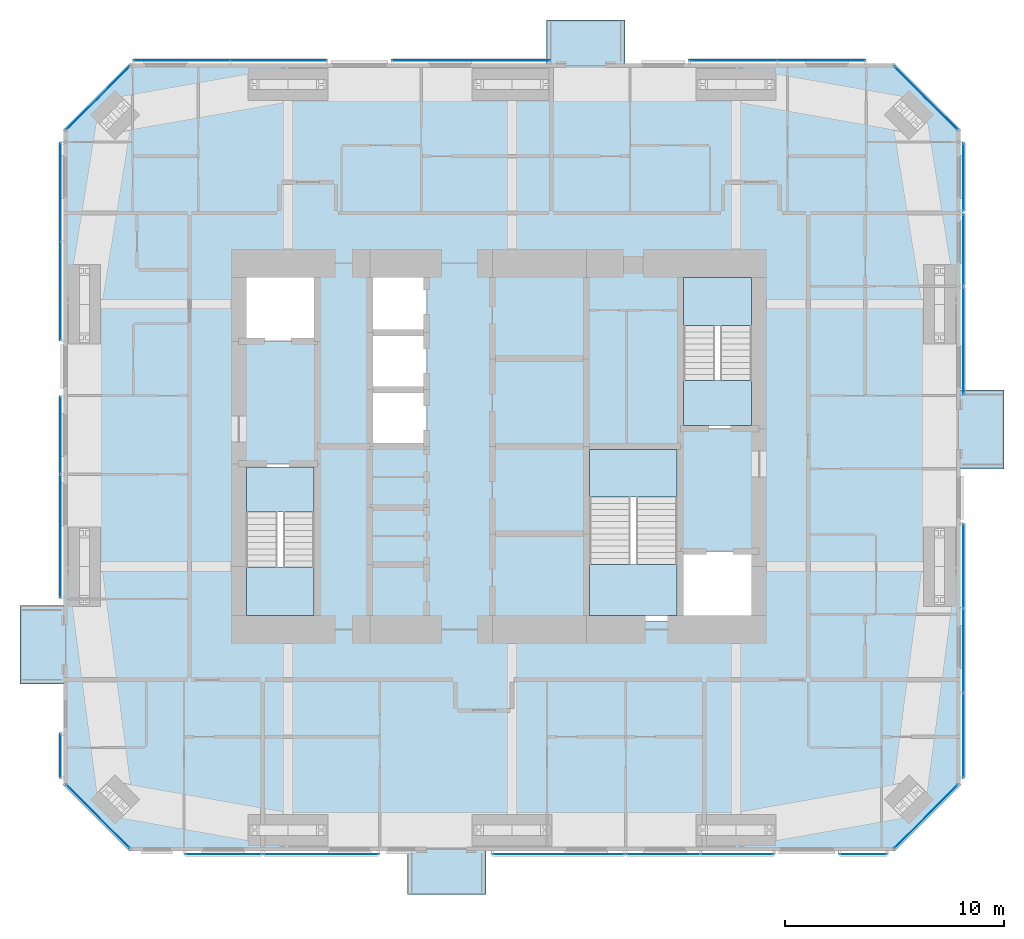
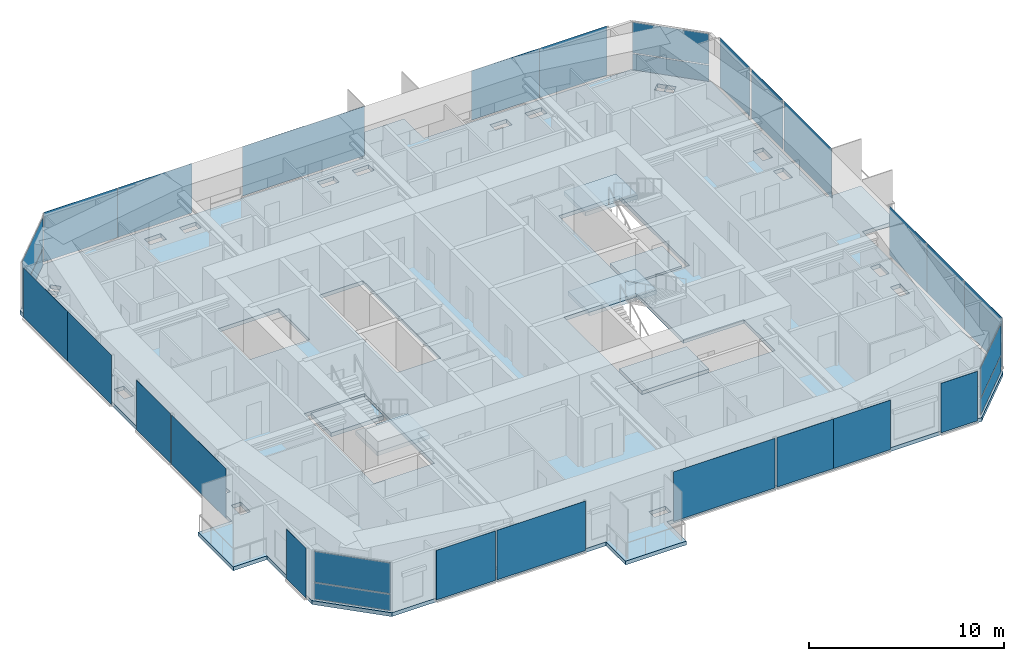
# One storey, part 14 of 23: 30 plates, 7 slabs, 23 elements without a shape of their own.
"""IFC4 building model written with IfcOpenShell, lengths in metres."""

from ifc_helpers import new_model, si_unit, direction, frame, origin, origin_2d, place, context, subcontext, project, spatial, polyline, rectangle, outline, extrude, material, layer, layer_set, type_object, element, aggregate, save


model = new_model("IFC4")

# Units and contexts
model_context = context("Model", 3, precision=1e-05, world=origin(), true_north=direction((0.0, 1.0)))
body_context = subcontext(model_context, "Body", "Model", "MODEL_VIEW")
ifc_project = project(units=[si_unit("LENGTHUNIT", "METRE"), si_unit("AREAUNIT", "SQUARE_METRE"), si_unit("VOLUMEUNIT", "CUBIC_METRE"), si_unit("PLANEANGLEUNIT", "RADIAN"), si_unit("MASSUNIT", "GRAM", prefix="KILO")], contexts=[model_context])

# Site, building, storey
site_placement = place(None, origin())
site = spatial("IfcSite", under=ifc_project, at=site_placement, CompositionType="ELEMENT")
building_placement = place(site_placement, origin())
building = spatial("IfcBuilding", under=site, at=building_placement, Name="Jalousie Tower", CompositionType="ELEMENT")
storey_placement = place(building_placement, frame((0.0, 0.0, 194.550048828125)))
storey = spatial("IfcBuildingStorey", under=building, at=storey_placement, Name="L53", CompositionType="ELEMENT", Elevation=194.550048828125)

# Curtain wall, plates
ifc_material_1 = material(Name="Aluminium curtain wall", Category="aluminium")
curtain_wall_type_1 = type_object("IfcCurtainWallType", Name="CORNER WINDOW WALL", PredefinedType="USERDEFINED", material=ifc_material_1)
curtain_wall_1_placement = place(storey_placement, origin())
curtain_wall_1 = element("IfcCurtainWall", 1, at=curtain_wall_1_placement, inside=storey, type_object=curtain_wall_type_1, Name="Corner Window Wall L53 2", ObjectType="CORNER WINDOW WALL", PredefinedType="USERDEFINED")
ifc_material_2 = material(Name="Laminated impact-rated spandrel glass", Category="glass")
ifc_layer_1 = layer(ifc_material_2, 0.028076171875)
ifc_layer_set_1 = layer_set([ifc_layer_1], Name="Laminated impact-rated spandrel glass")
plate_type_1 = type_object("IfcPlateType", Name="CORNER WINDOW WALL PANEL", PredefinedType="CURTAIN_PANEL", material=ifc_layer_set_1)
plate_1_placement = place(storey_placement, frame((51.4306640625, 1.5693359375, 0.06005859375), z_axis=(0.0, 0.0, 1.0), x_axis=(0.707106781187, 0.707106781187, 0.0)))
plate_1 = element("IfcPlate", 2, at=plate_1_placement, type_object=plate_type_1, Name="CW-C panel 1.1", PredefinedType="CURTAIN_PANEL", context=body_context, shape_type="SweptSolid", body=[
    extrude(rectangle(XDim=4.071533203125, YDim=0.028076171875, at=origin_2d()), origin(), (0.0, 0.0, 1.0), 1.010009765625),
])
plate_2_placement = place(storey_placement, frame((51.4306640625, 1.5693359375, 1.1298828125), z_axis=(0.0, 0.0, 1.0), x_axis=(0.707106781187, 0.707106781187, 0.0)))
plate_2 = element("IfcPlate", 3, at=plate_2_placement, type_object=plate_type_1, Name="CW-C panel 1.2", PredefinedType="CURTAIN_PANEL", context=body_context, shape_type="SweptSolid", body=[
    extrude(rectangle(XDim=4.071533203125, YDim=0.028076171875, at=origin_2d()), origin(), (0.0, 0.0, 1.0), 1.919921875),
])
aggregate(curtain_wall_1, [plate_1, plate_2])

curtain_wall_2_placement = place(storey_placement, origin())
curtain_wall_2 = element("IfcCurtainWall", 4, at=curtain_wall_2_placement, inside=storey, type_object=curtain_wall_type_1, Name="Corner Window Wall L53 4", ObjectType="CORNER WINDOW WALL", PredefinedType="USERDEFINED")
plate_3_placement = place(storey_placement, frame((51.4306640625, 34.4306640625, 0.06005859375), z_axis=(0.0, 0.0, 1.0), x_axis=(-0.707106781187, 0.707106781187, 0.0)))
plate_3 = element("IfcPlate", 5, at=plate_3_placement, type_object=plate_type_1, Name="CW-C panel 1.1", PredefinedType="CURTAIN_PANEL", context=body_context, shape_type="SweptSolid", body=[
    extrude(rectangle(XDim=4.071533203125, YDim=0.028076171875, at=origin_2d()), origin(), (0.0, 0.0, 1.0), 1.010009765625),
])
plate_4_placement = place(storey_placement, frame((51.4306640625, 34.4306640625, 1.1298828125), z_axis=(0.0, 0.0, 1.0), x_axis=(-0.707106781187, 0.707106781187, 0.0)))
plate_4 = element("IfcPlate", 6, at=plate_4_placement, type_object=plate_type_1, Name="CW-C panel 1.2", PredefinedType="CURTAIN_PANEL", context=body_context, shape_type="SweptSolid", body=[
    extrude(rectangle(XDim=4.071533203125, YDim=0.028076171875, at=origin_2d()), origin(), (0.0, 0.0, 1.0), 1.919921875),
])
aggregate(curtain_wall_2, [plate_3, plate_4])

curtain_wall_3_placement = place(storey_placement, origin())
curtain_wall_3 = element("IfcCurtainWall", 7, at=curtain_wall_3_placement, inside=storey, type_object=curtain_wall_type_1, Name="Corner Window Wall L53 6", ObjectType="CORNER WINDOW WALL", PredefinedType="USERDEFINED")
plate_5_placement = place(storey_placement, frame((13.5693359375, 34.4306640625, 0.06005859375), z_axis=(0.0, 0.0, 1.0), x_axis=(-0.707106781187, -0.707106781187, 0.0)))
plate_5 = element("IfcPlate", 8, at=plate_5_placement, type_object=plate_type_1, Name="CW-C panel 1.1", PredefinedType="CURTAIN_PANEL", context=body_context, shape_type="SweptSolid", body=[
    extrude(rectangle(XDim=4.071533203125, YDim=0.028076171875, at=origin_2d()), origin(), (0.0, 0.0, 1.0), 1.010009765625),
])
plate_6_placement = place(storey_placement, frame((13.5693359375, 34.4306640625, 1.1298828125), z_axis=(0.0, 0.0, 1.0), x_axis=(-0.707106781187, -0.707106781187, 0.0)))
plate_6 = element("IfcPlate", 9, at=plate_6_placement, type_object=plate_type_1, Name="CW-C panel 1.2", PredefinedType="CURTAIN_PANEL", context=body_context, shape_type="SweptSolid", body=[
    extrude(rectangle(XDim=4.071533203125, YDim=0.028076171875, at=origin_2d()), origin(), (0.0, 0.0, 1.0), 1.919921875),
])
aggregate(curtain_wall_3, [plate_5, plate_6])

curtain_wall_4_placement = place(storey_placement, origin())
curtain_wall_4 = element("IfcCurtainWall", 10, at=curtain_wall_4_placement, inside=storey, type_object=curtain_wall_type_1, Name="Corner Window Wall L53 8", ObjectType="CORNER WINDOW WALL", PredefinedType="USERDEFINED")
plate_7_placement = place(storey_placement, frame((13.5693359375, 1.5693359375, 0.06005859375), z_axis=(0.0, 0.0, 1.0), x_axis=(0.707106781187, -0.707106781187, 0.0)))
plate_7 = element("IfcPlate", 11, at=plate_7_placement, type_object=plate_type_1, Name="CW-C panel 1.1", PredefinedType="CURTAIN_PANEL", context=body_context, shape_type="SweptSolid", body=[
    extrude(rectangle(XDim=4.071533203125, YDim=0.028076171875, at=origin_2d()), origin(), (0.0, 0.0, 1.0), 1.010009765625),
])
plate_8_placement = place(storey_placement, frame((13.5693359375, 1.5693359375, 1.1298828125), z_axis=(0.0, 0.0, 1.0), x_axis=(0.707106781187, -0.707106781187, 0.0)))
plate_8 = element("IfcPlate", 12, at=plate_8_placement, type_object=plate_type_1, Name="CW-C panel 1.2", PredefinedType="CURTAIN_PANEL", context=body_context, shape_type="SweptSolid", body=[
    extrude(rectangle(XDim=4.071533203125, YDim=0.028076171875, at=origin_2d()), origin(), (0.0, 0.0, 1.0), 1.919921875),
])
aggregate(curtain_wall_4, [plate_7, plate_8])

# Slab
ifc_material_3 = material(Name="Concrete f'c 40 MPa", Category="concrete")
ifc_layer_2 = layer(ifc_material_3, 0.239990234375)
ifc_layer_set_2 = layer_set([ifc_layer_2], Name="Concrete f'c 40 MPa")
slab_type_1 = type_object("IfcSlabType", Name="FLOOR SLAB 240", PredefinedType="FLOOR", material=ifc_layer_set_2)
slab_1_placement = place(storey_placement, frame((0.0, 0.0, -0.239990234375)))
element("IfcSlab", 13, at=slab_1_placement, inside=storey, type_object=slab_type_1, Name="L53 floor slab", PredefinedType="FLOOR", context=body_context, shape_type="SweptSolid", body=[
    extrude(outline(polyline([(34.074951171875, 36.0), (34.074951171875, 38.0), (37.675048828125, 38.0), (37.675048828125, 36.0), (50.0, 36.0), (53.0, 33.0), (53.0, 21.074951171875), (55.0, 21.074951171875), (55.0, 17.47509765625), (53.0, 17.47509765625), (53.0, 3.0), (50.0, 0.0), (31.3125, 0.0), (31.3125, -2.0), (27.71240234375, -2.0), (27.71240234375, 0.0), (15.0, 0.0), (12.0, 3.0), (12.0, 7.625), (10.0, 7.625), (10.0, 11.22509765625), (12.0, 11.22509765625), (12.0, 33.0), (15.0, 36.0), (34.074951171875, 36.0)]), holes=[polyline([(52.336181640625, 25.54150390625), (52.336181640625, 26.52490234375), (51.763916015625, 26.52490234375), (51.763916015625, 25.54150390625), (52.336181640625, 25.54150390625)]), polyline([(51.763916015625, 23.47509765625), (52.336181640625, 23.47509765625), (52.336181640625, 24.45849609375), (51.763916015625, 24.45849609375), (51.763916015625, 23.47509765625)]), polyline([(51.763916015625, 13.54150390625), (52.336181640625, 13.54150390625), (52.336181640625, 14.52490234375), (51.763916015625, 14.52490234375), (51.763916015625, 13.54150390625)]), polyline([(51.763916015625, 11.47509765625), (52.336181640625, 11.47509765625), (52.336181640625, 12.45849609375), (51.763916015625, 12.45849609375), (51.763916015625, 11.47509765625)]), polyline([(50.856689453125, 33.851318359375), (50.451904296875, 33.446533203125), (50.802490234375, 33.095703125), (51.20751953125, 33.500244140625), (50.856689453125, 33.851318359375)]), polyline([(50.802490234375, 2.904296875), (50.451904296875, 2.553466796875), (50.856689453125, 2.148681640625), (51.20751953125, 2.499755859375), (50.802490234375, 2.904296875)]), polyline([(50.446533203125, 33.451904296875), (50.851318359375, 33.856689453125), (50.500244140625, 34.20751953125), (50.095703125, 33.802490234375), (50.446533203125, 33.451904296875)]), polyline([(50.851318359375, 2.143310546875), (50.446533203125, 2.548095703125), (50.095703125, 2.197509765625), (50.500244140625, 1.79248046875), (50.851318359375, 2.143310546875)]), polyline([(44.27490234375, 35.336181640625), (43.29150390625, 35.336181640625), (43.29150390625, 34.763916015625), (44.27490234375, 34.763916015625), (44.27490234375, 35.336181640625)]), polyline([(44.27490234375, 1.236083984375), (43.29150390625, 1.236083984375), (43.29150390625, 0.663818359375), (44.27490234375, 0.663818359375), (44.27490234375, 1.236083984375)]), polyline([(40.199951171875, 19.300048828125), (43.800048828125, 19.300048828125), (43.800048828125, 26.5), (40.199951171875, 26.5), (40.199951171875, 19.300048828125)]), polyline([(35.89990234375, 18.5), (35.89990234375, 10.5), (43.800048828125, 10.5), (43.800048828125, 13.699951171875), (40.199951171875, 13.699951171875), (40.199951171875, 18.5), (35.89990234375, 18.5)]), polyline([(42.20849609375, 34.763916015625), (42.20849609375, 35.336181640625), (41.22509765625, 35.336181640625), (41.22509765625, 34.763916015625), (42.20849609375, 34.763916015625)]), polyline([(41.22509765625, 0.663818359375), (42.20849609375, 0.663818359375), (42.20849609375, 1.236083984375), (41.22509765625, 1.236083984375), (41.22509765625, 0.663818359375)]), polyline([(33.04150390625, 35.336181640625), (33.04150390625, 34.763916015625), (34.02490234375, 34.763916015625), (34.02490234375, 35.336181640625), (33.04150390625, 35.336181640625)]), polyline([(33.04150390625, 1.236083984375), (33.04150390625, 0.663818359375), (34.02490234375, 0.663818359375), (34.02490234375, 1.236083984375), (33.04150390625, 1.236083984375)]), polyline([(31.95849609375, 34.763916015625), (31.95849609375, 35.336181640625), (30.97509765625, 35.336181640625), (30.97509765625, 34.763916015625), (31.95849609375, 34.763916015625)]), polyline([(31.95849609375, 0.663818359375), (31.95849609375, 1.236083984375), (30.97509765625, 1.236083984375), (30.97509765625, 0.663818359375), (31.95849609375, 0.663818359375)]), polyline([(28.60009765625, 18.5), (28.60009765625, 26.5), (26.0, 26.5), (26.0, 18.5), (28.60009765625, 18.5)]), polyline([(22.79150390625, 1.236083984375), (22.79150390625, 0.663818359375), (23.77490234375, 0.663818359375), (23.77490234375, 1.236083984375), (22.79150390625, 1.236083984375)]), polyline([(23.77490234375, 34.763916015625), (23.77490234375, 35.336181640625), (22.79150390625, 35.336181640625), (22.79150390625, 34.763916015625), (23.77490234375, 34.763916015625)]), polyline([(20.0, 23.300048828125), (23.60009765625, 23.300048828125), (23.60009765625, 26.5), (20.0, 26.5), (20.0, 23.300048828125)]), polyline([(20.0, 10.5), (23.60009765625, 10.5), (23.60009765625, 17.699951171875), (20.0, 17.699951171875), (20.0, 10.5)]), polyline([(20.72509765625, 35.336181640625), (20.72509765625, 34.763916015625), (21.70849609375, 34.763916015625), (21.70849609375, 35.336181640625), (20.72509765625, 35.336181640625)]), polyline([(20.72509765625, 1.236083984375), (20.72509765625, 0.663818359375), (21.70849609375, 0.663818359375), (21.70849609375, 1.236083984375), (20.72509765625, 1.236083984375)]), polyline([(14.904296875, 2.197509765625), (14.553466796875, 2.548095703125), (14.148681640625, 2.143310546875), (14.499755859375, 1.79248046875), (14.904296875, 2.197509765625)]), polyline([(14.553466796875, 33.451904296875), (14.904296875, 33.802490234375), (14.499755859375, 34.20751953125), (14.148681640625, 33.856689453125), (14.553466796875, 33.451904296875)]), polyline([(14.143310546875, 33.851318359375), (13.79248046875, 33.500244140625), (14.197509765625, 33.095703125), (14.548095703125, 33.446533203125), (14.143310546875, 33.851318359375)]), polyline([(14.197509765625, 2.904296875), (13.79248046875, 2.499755859375), (14.143310546875, 2.148681640625), (14.548095703125, 2.553466796875), (14.197509765625, 2.904296875)]), polyline([(12.663818359375, 11.47509765625), (13.236083984375, 11.47509765625), (13.236083984375, 12.45849609375), (12.663818359375, 12.45849609375), (12.663818359375, 11.47509765625)]), polyline([(13.236083984375, 24.45849609375), (12.663818359375, 24.45849609375), (12.663818359375, 23.47509765625), (13.236083984375, 23.47509765625), (13.236083984375, 24.45849609375)]), polyline([(12.663818359375, 25.54150390625), (13.236083984375, 25.54150390625), (13.236083984375, 26.52490234375), (12.663818359375, 26.52490234375), (12.663818359375, 25.54150390625)]), polyline([(13.236083984375, 13.54150390625), (13.236083984375, 14.52490234375), (12.663818359375, 14.52490234375), (12.663818359375, 13.54150390625), (13.236083984375, 13.54150390625)])]), origin(), (0.0, 0.0, 1.0), 0.239990234375),
])

# Curtain wall, plate
ifc_material_4 = material(Name="Perforated aluminium sheet", Category="aluminium")
curtain_wall_type_2 = type_object("IfcCurtainWallType", Name="SOLAR SCREEN SS-1", PredefinedType="USERDEFINED", material=ifc_material_4)
curtain_wall_5_placement = place(storey_placement, origin())
curtain_wall_5 = element("IfcCurtainWall", 14, at=curtain_wall_5_placement, inside=storey, type_object=curtain_wall_type_2, Name="Solar screen L53", ObjectType="SOLAR SCREEN SS-1", PredefinedType="USERDEFINED")
ifc_material_5 = material(Name="Perforated aluminium sheet", Category="aluminium")
ifc_layer_3 = layer(ifc_material_5, 0.006103515625)
ifc_layer_set_3 = layer_set([ifc_layer_3], Name="Perforated aluminium sheet")
plate_type_2 = type_object("IfcPlateType", Name="SOLAR SCREEN SS-1 PANEL", PredefinedType="CURTAIN_PANEL", material=ifc_layer_set_3)
plate_9_placement = place(storey_placement, frame((19.300048828125, -0.150390625, 0.0), z_axis=(0.0, 0.0, 1.0), x_axis=(1.0, 0.0, 0.0)))
plate_9 = element("IfcPlate", 15, at=plate_9_placement, type_object=plate_type_2, Name="SS1 perforated panel 1", PredefinedType="CURTAIN_PANEL", context=body_context, shape_type="SweptSolid", body=[
    extrude(rectangle(XDim=3.5, YDim=0.006103515625, at=origin_2d()), origin(), (0.0, 0.0, 1.0), 3.110107421875),
])
aggregate(curtain_wall_5, [plate_9])

curtain_wall_6_placement = place(storey_placement, origin())
curtain_wall_6 = element("IfcCurtainWall", 16, at=curtain_wall_6_placement, inside=storey, type_object=curtain_wall_type_2, Name="Solar screen L53", ObjectType="SOLAR SCREEN SS-1", PredefinedType="USERDEFINED")
plate_10_placement = place(storey_placement, frame((23.77490234375, -0.150390625, 0.0), z_axis=(0.0, 0.0, 1.0), x_axis=(1.0, 0.0, 0.0)))
plate_10 = element("IfcPlate", 17, at=plate_10_placement, type_object=plate_type_2, Name="SS1 perforated panel 1", PredefinedType="CURTAIN_PANEL", context=body_context, shape_type="SweptSolid", body=[
    extrude(rectangle(XDim=5.25, YDim=0.006103515625, at=origin_2d()), origin(), (0.0, 0.0, 1.0), 3.110107421875),
])
aggregate(curtain_wall_6, [plate_10])

curtain_wall_7_placement = place(storey_placement, origin())
curtain_wall_7 = element("IfcCurtainWall", 18, at=curtain_wall_7_placement, inside=storey, type_object=curtain_wall_type_2, Name="Solar screen L53", ObjectType="SOLAR SCREEN SS-1", PredefinedType="USERDEFINED")
plate_11_placement = place(storey_placement, frame((34.63134765625, -0.150390625, 0.0), z_axis=(0.0, 0.0, 1.0), x_axis=(1.0, 0.0, 0.0)))
plate_11 = element("IfcPlate", 19, at=plate_11_placement, type_object=plate_type_2, Name="SS1 perforated panel 1", PredefinedType="CURTAIN_PANEL", context=body_context, shape_type="SweptSolid", body=[
    extrude(rectangle(XDim=6.03759765625, YDim=0.006103515625, at=origin_2d()), origin(), (0.0, 0.0, 1.0), 3.110107421875),
])
aggregate(curtain_wall_7, [plate_11])

# Curtain wall, plates
curtain_wall_8_placement = place(storey_placement, origin())
curtain_wall_8 = element("IfcCurtainWall", 20, at=curtain_wall_8_placement, inside=storey, type_object=curtain_wall_type_2, Name="Solar screen L53", ObjectType="SOLAR SCREEN SS-1", PredefinedType="USERDEFINED")
plate_12_placement = place(storey_placement, frame((39.432861328125, -0.150390625, 0.0), z_axis=(0.0, 0.0, 1.0), x_axis=(1.0, 0.0, 0.0)))
plate_12 = element("IfcPlate", 21, at=plate_12_placement, type_object=plate_type_2, Name="SS1 perforated panel 1", PredefinedType="CURTAIN_PANEL", context=body_context, shape_type="SweptSolid", body=[
    extrude(rectangle(XDim=3.365478515625, YDim=0.006103515625, at=origin_2d()), origin(), (0.0, 0.0, 1.0), 3.110107421875),
])
plate_13_placement = place(storey_placement, frame((42.798583984375, -0.150390625, 0.0), z_axis=(0.0, 0.0, 1.0), x_axis=(1.0, 0.0, 0.0)))
plate_13 = element("IfcPlate", 22, at=plate_13_placement, type_object=plate_type_2, Name="SS1 perforated panel 2", PredefinedType="CURTAIN_PANEL", context=body_context, shape_type="SweptSolid", body=[
    extrude(rectangle(XDim=3.365478515625, YDim=0.006103515625, at=origin_2d()), origin(), (0.0, 0.0, 1.0), 3.110107421875),
])
aggregate(curtain_wall_8, [plate_12, plate_13])

# Curtain wall, plate
curtain_wall_9_placement = place(storey_placement, origin())
curtain_wall_9 = element("IfcCurtainWall", 23, at=curtain_wall_9_placement, inside=storey, type_object=curtain_wall_type_2, Name="Solar screen L53", ObjectType="SOLAR SCREEN SS-1", PredefinedType="USERDEFINED")
plate_14_placement = place(storey_placement, frame((48.56494140625, -0.150390625, 0.0), z_axis=(0.0, 0.0, 1.0), x_axis=(1.0, 0.0, 0.0)))
plate_14 = element("IfcPlate", 24, at=plate_14_placement, type_object=plate_type_2, Name="SS1 perforated panel 1", PredefinedType="CURTAIN_PANEL", context=body_context, shape_type="SweptSolid", body=[
    extrude(rectangle(XDim=2.16748046875, YDim=0.006103515625, at=origin_2d()), origin(), (0.0, 0.0, 1.0), 3.110107421875),
])
aggregate(curtain_wall_9, [plate_14])

# Curtain wall, plates
curtain_wall_10_placement = place(storey_placement, origin())
curtain_wall_10 = element("IfcCurtainWall", 25, at=curtain_wall_10_placement, inside=storey, type_object=curtain_wall_type_2, Name="Solar screen L53", ObjectType="SOLAR SCREEN SS-1", PredefinedType="USERDEFINED")
plate_15_placement = place(storey_placement, frame((53.150390625, 5.284423828125, 0.0), z_axis=(0.0, 0.0, 1.0), x_axis=(0.0, 1.0, 0.0)))
plate_15 = element("IfcPlate", 26, at=plate_15_placement, type_object=plate_type_2, Name="SS1 perforated panel 1", PredefinedType="CURTAIN_PANEL", context=body_context, shape_type="SweptSolid", body=[
    extrude(rectangle(XDim=3.8662109375, YDim=0.006103515625, at=origin_2d()), origin(), (0.0, 0.0, 1.0), 3.110107421875),
])
plate_16_placement = place(storey_placement, frame((53.150390625, 9.150634765625, 0.0), z_axis=(0.0, 0.0, 1.0), x_axis=(0.0, 1.0, 0.0)))
plate_16 = element("IfcPlate", 27, at=plate_16_placement, type_object=plate_type_2, Name="SS1 perforated panel 2", PredefinedType="CURTAIN_PANEL", context=body_context, shape_type="SweptSolid", body=[
    extrude(rectangle(XDim=3.8662109375, YDim=0.006103515625, at=origin_2d()), origin(), (0.0, 0.0, 1.0), 3.110107421875),
])
plate_17_placement = place(storey_placement, frame((53.150390625, 13.016845703125, 0.0), z_axis=(0.0, 0.0, 1.0), x_axis=(0.0, 1.0, 0.0)))
plate_17 = element("IfcPlate", 28, at=plate_17_placement, type_object=plate_type_2, Name="SS1 perforated panel 3", PredefinedType="CURTAIN_PANEL", context=body_context, shape_type="SweptSolid", body=[
    extrude(rectangle(XDim=3.8662109375, YDim=0.006103515625, at=origin_2d()), origin(), (0.0, 0.0, 1.0), 3.110107421875),
])
aggregate(curtain_wall_10, [plate_15, plate_16, plate_17])

# Curtain wall, plate
curtain_wall_11_placement = place(storey_placement, origin())
curtain_wall_11 = element("IfcCurtainWall", 29, at=curtain_wall_11_placement, inside=storey, type_object=curtain_wall_type_2, Name="Solar screen L53", ObjectType="SOLAR SCREEN SS-1", PredefinedType="USERDEFINED")
plate_18_placement = place(storey_placement, frame((53.150390625, 23.324951171875, 0.0), z_axis=(0.0, 0.0, 1.0), x_axis=(0.0, 1.0, 0.0)))
plate_18 = element("IfcPlate", 30, at=plate_18_placement, type_object=plate_type_2, Name="SS1 perforated panel 1", PredefinedType="CURTAIN_PANEL", context=body_context, shape_type="SweptSolid", body=[
    extrude(rectangle(XDim=4.89990234375, YDim=0.006103515625, at=origin_2d()), origin(), (0.0, 0.0, 1.0), 3.110107421875),
])
aggregate(curtain_wall_11, [plate_18])

curtain_wall_12_placement = place(storey_placement, origin())
curtain_wall_12 = element("IfcCurtainWall", 31, at=curtain_wall_12_placement, inside=storey, type_object=curtain_wall_type_2, Name="Solar screen L53", ObjectType="SOLAR SCREEN SS-1", PredefinedType="USERDEFINED")
plate_19_placement = place(storey_placement, frame((53.150390625, 27.5, 0.0), z_axis=(0.0, 0.0, 1.0), x_axis=(0.0, 1.0, 0.0)))
plate_19 = element("IfcPlate", 32, at=plate_19_placement, type_object=plate_type_2, Name="SS1 perforated panel 1", PredefinedType="CURTAIN_PANEL", context=body_context, shape_type="SweptSolid", body=[
    extrude(rectangle(XDim=3.25, YDim=0.006103515625, at=origin_2d()), origin(), (0.0, 0.0, 1.0), 3.110107421875),
])
aggregate(curtain_wall_12, [plate_19])

curtain_wall_13_placement = place(storey_placement, origin())
curtain_wall_13 = element("IfcCurtainWall", 33, at=curtain_wall_13_placement, inside=storey, type_object=curtain_wall_type_2, Name="Solar screen L53", ObjectType="SOLAR SCREEN SS-1", PredefinedType="USERDEFINED")
plate_20_placement = place(storey_placement, frame((53.150390625, 30.822509765625, 0.0), z_axis=(0.0, 0.0, 1.0), x_axis=(0.0, 1.0, 0.0)))
plate_20 = element("IfcPlate", 34, at=plate_20_placement, type_object=plate_type_2, Name="SS1 perforated panel 1", PredefinedType="CURTAIN_PANEL", context=body_context, shape_type="SweptSolid", body=[
    extrude(rectangle(XDim=3.09521484375, YDim=0.006103515625, at=origin_2d()), origin(), (0.0, 0.0, 1.0), 3.110107421875),
])
aggregate(curtain_wall_13, [plate_20])

# Curtain wall, plates
curtain_wall_14_placement = place(storey_placement, origin())
curtain_wall_14 = element("IfcCurtainWall", 35, at=curtain_wall_14_placement, inside=storey, type_object=curtain_wall_type_2, Name="Solar screen L53", ObjectType="SOLAR SCREEN SS-1", PredefinedType="USERDEFINED")
plate_21_placement = place(storey_placement, frame((46.640625, 36.150390625, 0.0), z_axis=(0.0, 0.0, 1.0), x_axis=(-1.0, 0.0, 0.0)))
plate_21 = element("IfcPlate", 36, at=plate_21_placement, type_object=plate_type_2, Name="SS1 perforated panel 1", PredefinedType="CURTAIN_PANEL", context=body_context, shape_type="SweptSolid", body=[
    extrude(rectangle(XDim=4.018798828125, YDim=0.006103515625, at=origin_2d()), origin(), (0.0, 0.0, 1.0), 3.110107421875),
])
plate_22_placement = place(storey_placement, frame((42.621826171875, 36.150390625, 0.0), z_axis=(0.0, 0.0, 1.0), x_axis=(-1.0, 0.0, 0.0)))
plate_22 = element("IfcPlate", 37, at=plate_22_placement, type_object=plate_type_2, Name="SS1 perforated panel 2", PredefinedType="CURTAIN_PANEL", context=body_context, shape_type="SweptSolid", body=[
    extrude(rectangle(XDim=4.018798828125, YDim=0.006103515625, at=origin_2d()), origin(), (0.0, 0.0, 1.0), 3.110107421875),
])
aggregate(curtain_wall_14, [plate_21, plate_22])

# Curtain wall, plate
curtain_wall_15_placement = place(storey_placement, origin())
curtain_wall_15 = element("IfcCurtainWall", 38, at=curtain_wall_15_placement, inside=storey, type_object=curtain_wall_type_2, Name="Solar screen L53", ObjectType="SOLAR SCREEN SS-1", PredefinedType="USERDEFINED")
plate_23_placement = place(storey_placement, frame((30.637451171875, 36.150390625, 0.0), z_axis=(0.0, 0.0, 1.0), x_axis=(-1.0, 0.0, 0.0)))
plate_23 = element("IfcPlate", 39, at=plate_23_placement, type_object=plate_type_2, Name="SS1 perforated panel 1", PredefinedType="CURTAIN_PANEL", context=body_context, shape_type="SweptSolid", body=[
    extrude(rectangle(XDim=7.22509765625, YDim=0.006103515625, at=origin_2d()), origin(), (0.0, 0.0, 1.0), 3.110107421875),
])
aggregate(curtain_wall_15, [plate_23])

# Curtain wall, plates
curtain_wall_16_placement = place(storey_placement, origin())
curtain_wall_16 = element("IfcCurtainWall", 40, at=curtain_wall_16_placement, inside=storey, type_object=curtain_wall_type_2, Name="Solar screen L53", ObjectType="SOLAR SCREEN SS-1", PredefinedType="USERDEFINED")
plate_24_placement = place(storey_placement, frame((21.818603515625, 36.150390625, 0.0), z_axis=(0.0, 0.0, 1.0), x_axis=(-1.0, 0.0, 0.0)))
plate_24 = element("IfcPlate", 41, at=plate_24_placement, type_object=plate_type_2, Name="SS1 perforated panel 1", PredefinedType="CURTAIN_PANEL", context=body_context, shape_type="SweptSolid", body=[
    extrude(rectangle(XDim=4.41259765625, YDim=0.006103515625, at=origin_2d()), origin(), (0.0, 0.0, 1.0), 3.110107421875),
])
plate_25_placement = place(storey_placement, frame((17.40625, 36.150390625, 0.0), z_axis=(0.0, 0.0, 1.0), x_axis=(-1.0, 0.0, 0.0)))
plate_25 = element("IfcPlate", 42, at=plate_25_placement, type_object=plate_type_2, Name="SS1 perforated panel 2", PredefinedType="CURTAIN_PANEL", context=body_context, shape_type="SweptSolid", body=[
    extrude(rectangle(XDim=4.41259765625, YDim=0.006103515625, at=origin_2d()), origin(), (0.0, 0.0, 1.0), 3.110107421875),
])
aggregate(curtain_wall_16, [plate_24, plate_25])

curtain_wall_17_placement = place(storey_placement, origin())
curtain_wall_17 = element("IfcCurtainWall", 43, at=curtain_wall_17_placement, inside=storey, type_object=curtain_wall_type_2, Name="Solar screen L53", ObjectType="SOLAR SCREEN SS-1", PredefinedType="USERDEFINED")
plate_26_placement = place(storey_placement, frame((11.849609375, 30.114990234375, 0.0), z_axis=(0.0, 0.0, 1.0), x_axis=(0.0, -1.0, 0.0)))
plate_26 = element("IfcPlate", 44, at=plate_26_placement, type_object=plate_type_2, Name="SS1 perforated panel 1", PredefinedType="CURTAIN_PANEL", context=body_context, shape_type="SweptSolid", body=[
    extrude(rectangle(XDim=4.510009765625, YDim=0.006103515625, at=origin_2d()), origin(), (0.0, 0.0, 1.0), 3.110107421875),
])
plate_27_placement = place(storey_placement, frame((11.849609375, 25.60498046875, 0.0), z_axis=(0.0, 0.0, 1.0), x_axis=(0.0, -1.0, 0.0)))
plate_27 = element("IfcPlate", 45, at=plate_27_placement, type_object=plate_type_2, Name="SS1 perforated panel 2", PredefinedType="CURTAIN_PANEL", context=body_context, shape_type="SweptSolid", body=[
    extrude(rectangle(XDim=4.510009765625, YDim=0.006103515625, at=origin_2d()), origin(), (0.0, 0.0, 1.0), 3.110107421875),
])
aggregate(curtain_wall_17, [plate_26, plate_27])

# Curtain wall, plate
curtain_wall_18_placement = place(storey_placement, origin())
curtain_wall_18 = element("IfcCurtainWall", 46, at=curtain_wall_18_placement, inside=storey, type_object=curtain_wall_type_2, Name="Solar screen L53", ObjectType="SOLAR SCREEN SS-1", PredefinedType="USERDEFINED")
plate_28_placement = place(storey_placement, frame((11.849609375, 19.02490234375, 0.0), z_axis=(0.0, 0.0, 1.0), x_axis=(0.0, -1.0, 0.0)))
plate_28 = element("IfcPlate", 47, at=plate_28_placement, type_object=plate_type_2, Name="SS1 perforated panel 1", PredefinedType="CURTAIN_PANEL", context=body_context, shape_type="SweptSolid", body=[
    extrude(rectangle(XDim=3.5, YDim=0.006103515625, at=origin_2d()), origin(), (0.0, 0.0, 1.0), 3.110107421875),
])
aggregate(curtain_wall_18, [plate_28])

curtain_wall_19_placement = place(storey_placement, origin())
curtain_wall_19 = element("IfcCurtainWall", 48, at=curtain_wall_19_placement, inside=storey, type_object=curtain_wall_type_2, Name="Solar screen L53", ObjectType="SOLAR SCREEN SS-1", PredefinedType="USERDEFINED")
plate_29_placement = place(storey_placement, frame((11.849609375, 14.375, 0.0), z_axis=(0.0, 0.0, 1.0), x_axis=(0.0, -1.0, 0.0)))
plate_29 = element("IfcPlate", 49, at=plate_29_placement, type_object=plate_type_2, Name="SS1 perforated panel 1", PredefinedType="CURTAIN_PANEL", context=body_context, shape_type="SweptSolid", body=[
    extrude(rectangle(XDim=5.60009765625, YDim=0.006103515625, at=origin_2d()), origin(), (0.0, 0.0, 1.0), 3.110107421875),
])
aggregate(curtain_wall_19, [plate_29])

curtain_wall_20_placement = place(storey_placement, origin())
curtain_wall_20 = element("IfcCurtainWall", 50, at=curtain_wall_20_placement, inside=storey, type_object=curtain_wall_type_2, Name="Solar screen L53", ObjectType="SOLAR SCREEN SS-1", PredefinedType="USERDEFINED")
plate_30_placement = place(storey_placement, frame((11.849609375, 4.3505859375, 0.0), z_axis=(0.0, 0.0, 1.0), x_axis=(0.0, -1.0, 0.0)))
plate_30 = element("IfcPlate", 51, at=plate_30_placement, type_object=plate_type_2, Name="SS1 perforated panel 1", PredefinedType="CURTAIN_PANEL", context=body_context, shape_type="SweptSolid", body=[
    extrude(rectangle(XDim=1.998779296875, YDim=0.006103515625, at=origin_2d()), origin(), (0.0, 0.0, 1.0), 3.110107421875),
])
aggregate(curtain_wall_20, [plate_30])

# Stair, slabs
ifc_material_6 = material(Name="Concrete f'c 40 MPa", Category="concrete")
stair_type = type_object("IfcStairType", Name="EXIT STAIR", PredefinedType="HALF_TURN_STAIR", material=ifc_material_6)
stair_1_placement = place(storey_placement, origin())
stair_1 = element("IfcStair", 52, at=stair_1_placement, inside=storey, type_object=stair_type, Name="Exit stair A L53", PredefinedType="HALF_TURN_STAIR")
ifc_material_7 = material(Name="Concrete f'c 40 MPa", Category="concrete")
ifc_layer_4 = layer(ifc_material_7, 0.25)
ifc_layer_set_4 = layer_set([ifc_layer_4], Name="Concrete f'c 40 MPa")
slab_type_2 = type_object("IfcSlabType", Name="STAIR LANDING 250", PredefinedType="LANDING", material=ifc_layer_set_4)
slab_2_placement = place(storey_placement, frame((0.0, 0.0, -0.25)))
slab_2 = element("IfcSlab", 53, at=slab_2_placement, type_object=slab_type_2, Name="ST-A landing 1", PredefinedType="LANDING", context=body_context, shape_type="SweptSolid", body=[
    extrude(outline(polyline([(20.35009765625, 15.49755859375), (23.449951171875, 15.49755859375), (23.449951171875, 17.550048828125), (20.35009765625, 17.550048828125), (20.35009765625, 15.49755859375)])), origin(), (0.0, 0.0, 1.0), 0.25),
])
slab_3_placement = place(storey_placement, frame((0.0, 0.0, 1.425048828125)))
slab_3 = element("IfcSlab", 54, at=slab_3_placement, type_object=slab_type_2, Name="ST-A landing 2", PredefinedType="LANDING", context=body_context, shape_type="SweptSolid", body=[
    extrude(outline(polyline([(20.35009765625, 10.77490234375), (23.449951171875, 10.77490234375), (23.449951171875, 12.9775390625), (20.35009765625, 12.9775390625), (20.35009765625, 10.77490234375)])), origin(), (0.0, 0.0, 1.0), 0.25),
])
aggregate(stair_1, [slab_2, slab_3])

stair_2_placement = place(storey_placement, origin())
stair_2 = element("IfcStair", 55, at=stair_2_placement, inside=storey, type_object=stair_type, Name="Exit stair B L53", PredefinedType="HALF_TURN_STAIR")
slab_4_placement = place(storey_placement, frame((0.0, 0.0, -0.25)))
slab_4 = element("IfcSlab", 56, at=slab_4_placement, type_object=slab_type_2, Name="ST-B landing 1", PredefinedType="LANDING", context=body_context, shape_type="SweptSolid", body=[
    extrude(outline(polyline([(40.35009765625, 19.449951171875), (43.449951171875, 19.449951171875), (43.449951171875, 21.50244140625), (40.35009765625, 21.50244140625), (40.35009765625, 19.449951171875)])), origin(), (0.0, 0.0, 1.0), 0.25),
])
slab_5_placement = place(storey_placement, frame((0.0, 0.0, 1.425048828125)))
slab_5 = element("IfcSlab", 57, at=slab_5_placement, type_object=slab_type_2, Name="ST-B landing 2", PredefinedType="LANDING", context=body_context, shape_type="SweptSolid", body=[
    extrude(outline(polyline([(40.35009765625, 24.0224609375), (43.449951171875, 24.0224609375), (43.449951171875, 26.22509765625), (40.35009765625, 26.22509765625), (40.35009765625, 24.0224609375)])), origin(), (0.0, 0.0, 1.0), 0.25),
])
aggregate(stair_2, [slab_4, slab_5])

stair_3_placement = place(storey_placement, origin())
stair_3 = element("IfcStair", 58, at=stair_3_placement, inside=storey, type_object=stair_type, Name="Exit stair C L53", PredefinedType="HALF_TURN_STAIR")
slab_6_placement = place(storey_placement, frame((0.0, 0.0, -0.25)))
slab_6 = element("IfcSlab", 59, at=slab_6_placement, type_object=slab_type_2, Name="ST-C landing 1", PredefinedType="LANDING", context=body_context, shape_type="SweptSolid", body=[
    extrude(outline(polyline([(36.050048828125, 10.77490234375), (40.050048828125, 10.77490234375), (40.050048828125, 13.097412109375), (36.050048828125, 13.097412109375), (36.050048828125, 10.77490234375)])), origin(), (0.0, 0.0, 1.0), 0.25),
])
slab_7_placement = place(storey_placement, frame((0.0, 0.0, 1.425048828125)))
slab_7 = element("IfcSlab", 60, at=slab_7_placement, type_object=slab_type_2, Name="ST-C landing 2", PredefinedType="LANDING", context=body_context, shape_type="SweptSolid", body=[
    extrude(outline(polyline([(36.050048828125, 16.177490234375), (40.050048828125, 16.177490234375), (40.050048828125, 18.35009765625), (36.050048828125, 18.35009765625), (36.050048828125, 16.177490234375)])), origin(), (0.0, 0.0, 1.0), 0.25),
])
aggregate(stair_3, [slab_6, slab_7])

save(model, "model.ifc")
